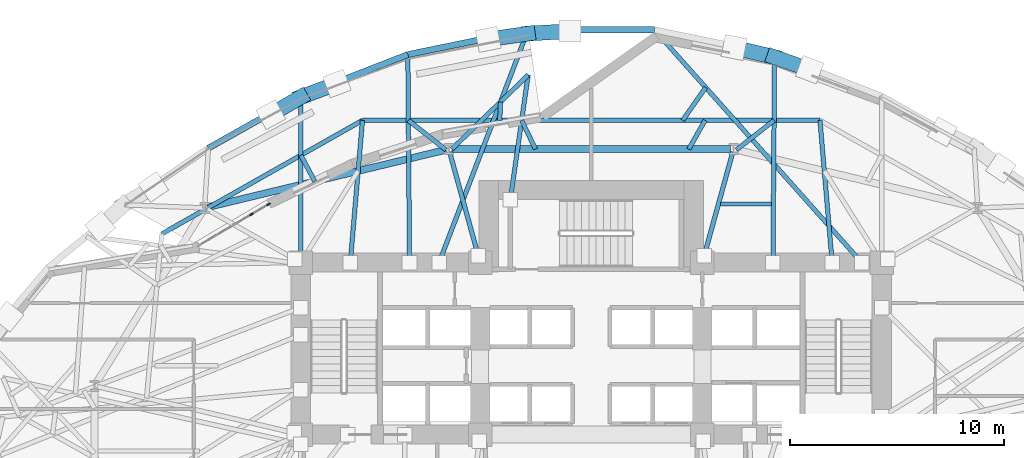
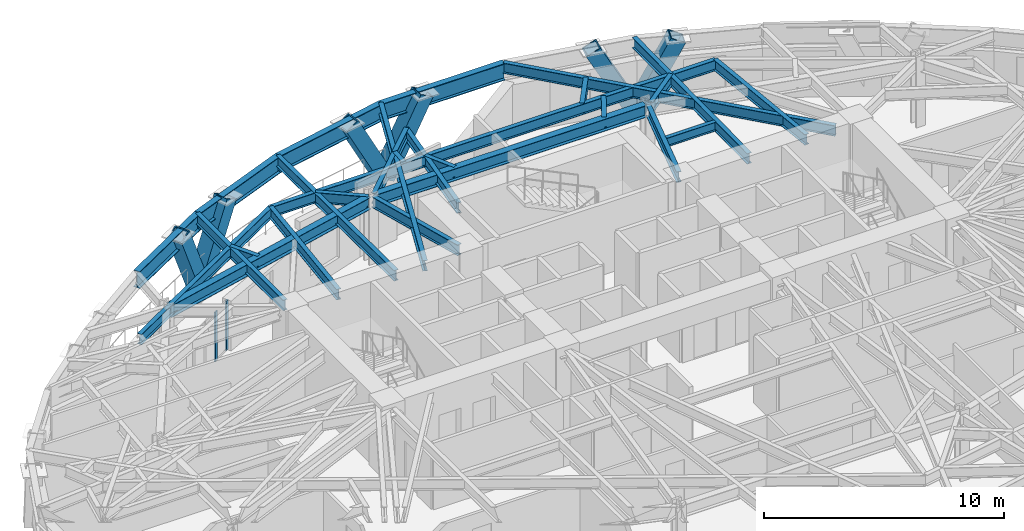
# One storey, part 6 of 17: 27 beams, 8 members, 1 element without a shape of its own.
"""IFC4 building model written with IfcOpenShell, lengths in metres."""

from ifc_helpers import new_model, si_unit, direction, frame, origin, origin_2d, place, context, subcontext, project, spatial, rectangle, hollow_rectangle, i_section, extrude, material, layer, layer_set, material_profile, profile_set, type_object, element, aggregate, save


model = new_model("IFC4")

# Units and contexts
model_context = context("Model", 3, precision=1e-05, world=origin(), true_north=direction((0.0, 1.0)))
body_context = subcontext(model_context, "Body", "Model", "MODEL_VIEW")
ifc_project = project(units=[si_unit("LENGTHUNIT", "METRE"), si_unit("AREAUNIT", "SQUARE_METRE"), si_unit("VOLUMEUNIT", "CUBIC_METRE"), si_unit("PLANEANGLEUNIT", "RADIAN"), si_unit("MASSUNIT", "GRAM", prefix="KILO")], contexts=[model_context])

# Site, building, storey
site_placement = place(None, origin())
site = spatial("IfcSite", under=ifc_project, at=site_placement, CompositionType="ELEMENT")
building_placement = place(site_placement, origin())
building = spatial("IfcBuilding", under=site, at=building_placement, Name="Keldmark Tower", CompositionType="ELEMENT")
storey_placement = place(building_placement, frame((0.0, 0.0, 70.199951171875)))
storey = spatial("IfcBuildingStorey", under=building, at=storey_placement, Name="L18", CompositionType="ELEMENT", Elevation=70.199951171875)

# Beam
ifc_material_1 = material(Name="Steel ASTM A992 Grade 50", Category="steel")
ifc_material_profile_1 = material_profile(ifc_material_1, i_section(OverallWidth=0.19091796875, OverallDepth=0.45703125, WebThickness=0.009033203125, FlangeThickness=0.014404296875, at=origin_2d()), Name="W18X50")
ifc_profile_set_1 = profile_set([ifc_material_profile_1], Name="Steel ASTM A992 Grade 50")
beam_type_1 = type_object("IfcBeamType", Name="Composite Floor Joist W18X50", PredefinedType="JOIST", material=ifc_profile_set_1)
beam_1_placement = place(storey_placement, frame((6.060546875, 12.199951171875, 3.171630859375), z_axis=(1.0, 0.0, 0.0), x_axis=(0.0, 1.0, 0.0)))
element("IfcBeam", 1, at=beam_1_placement, inside=storey, type_object=beam_type_1, Name="L18 Composite Floor Joist J20", PredefinedType="JOIST", context=body_context, shape_type="SweptSolid", body=[
    extrude(i_section(OverallWidth=0.19091796875, OverallDepth=0.45703125, WebThickness=0.009033203125, FlangeThickness=0.014404296875, at=origin_2d()), origin(), (0.0, 0.0, 1.0), 2.3720703125),
])

# Curtain wall, members
ifc_material_2 = material(Name="Unitized Thermally Broken Aluminum and Triple Low-E Glazing", Category="aluminium")
ifc_layer = layer(ifc_material_2, 0.219970703125)
ifc_layer_set = layer_set([ifc_layer], Name="Unitized Thermally Broken Aluminum and Triple Low-E Glazing")
curtain_wall_type = type_object("IfcCurtainWallType", Name="Spiralling Sky-Garden Feature Curtain Wall System", PredefinedType="NOTDEFINED", material=ifc_layer_set)
curtain_wall_placement = place(storey_placement, origin())
curtain_wall = element("IfcCurtainWall", 2, at=curtain_wall_placement, inside=storey, type_object=curtain_wall_type, Name="L18 Spiralling Sky-Garden Feature Curtain Wall System CW-L18-12", PredefinedType="NOTDEFINED")
ifc_material_3 = material(Name="Extruded Aluminum Alloy 6063-T6", Category="aluminium")
ifc_material_profile_2 = material_profile(ifc_material_3, rectangle(XDim=0.06005859375, YDim=0.179931640625, at=origin_2d()), Name="CWM60X180")
ifc_profile_set_2 = profile_set([ifc_material_profile_2], Name="Extruded Aluminum Alloy 6063-T6")
member_type_1 = type_object("IfcMemberType", Name="Curtain Wall Structural Mullion 60x180", PredefinedType="MULLION", material=ifc_profile_set_2)
member_1_placement = place(storey_placement, frame((-15.904296875, 11.703125, 0.0), z_axis=(0.0, 0.0, 1.0), x_axis=(-0.508955086875, 0.860793075916, 0.0)))
member_1 = element("IfcMember", 3, at=member_1_placement, type_object=member_type_1, Name="CW mullion 4", PredefinedType="MULLION", context=body_context, shape_type="SweptSolid", body=[
    extrude(rectangle(XDim=0.06005859375, YDim=0.179931640625, at=origin_2d()), origin(), (0.0, 0.0, 1.0), 2.529052734375),
])
member_2_placement = place(storey_placement, frame((-15.104736328125, 12.17578125, 0.0), z_axis=(0.0, 0.0, 1.0), x_axis=(-0.508955086875, 0.860793075916, 0.0)))
member_2 = element("IfcMember", 4, at=member_2_placement, type_object=member_type_1, Name="CW mullion 5", PredefinedType="MULLION", context=body_context, shape_type="SweptSolid", body=[
    extrude(rectangle(XDim=0.06005859375, YDim=0.179931640625, at=origin_2d()), origin(), (0.0, 0.0, 1.0), 2.529052734375),
])
aggregate(curtain_wall, [member_1, member_2])

# Members
ifc_material_4 = material(Name="Steel ASTM A572 Grade 50", Category="steel")
ifc_material_profile_3 = material_profile(ifc_material_4, hollow_rectangle(XDim=0.699951171875, YDim=0.699951171875, WallThickness=0.054931640625, at=origin_2d()), Name="BOX700X700X55")
ifc_profile_set_3 = profile_set([ifc_material_profile_3], Name="Steel ASTM A572 Grade 50")
member_type_2 = type_object("IfcMemberType", Name="Diagrid Zone 1 Brace BOX700X700X55", PredefinedType="BRACE", material=ifc_profile_set_3)
member_3_placement = place(storey_placement, frame((8.531982421875, 19.082275390625, -0.280029296875), z_axis=(0.424501493486, -0.149665558292, 0.892971837568), x_axis=(0.33250697435, 0.943100796314, 0.0)))
element("IfcMember", 5, at=member_3_placement, inside=storey, type_object=member_type_2, Name="L18 Perimeter Diagrid Brace 03B", PredefinedType="BRACE", context=body_context, shape_type="SweptSolid", body=[
    extrude(hollow_rectangle(XDim=0.699951171875, YDim=0.699951171875, WallThickness=0.054931640625, at=origin_2d()), origin(), (0.0, 0.0, 1.0), 3.98681640625),
])
member_4_placement = place(storey_placement, frame((8.54296875, 19.077880859375, -0.280029296875), z_axis=(-0.458929368937, 0.108548981057, 0.881816847785), x_axis=(-0.230175603332, -0.973149110687, 0.0)))
element("IfcMember", 6, at=member_4_placement, inside=storey, type_object=member_type_2, Name="L18 Perimeter Diagrid Brace 04A", PredefinedType="BRACE", context=body_context, shape_type="SweptSolid", body=[
    extrude(hollow_rectangle(XDim=0.699951171875, YDim=0.699951171875, WallThickness=0.054931640625, at=origin_2d()), origin(), (0.0, 0.0, 1.0), 4.037109375),
])
member_5_placement = place(storey_placement, frame((-2.944580078125, 20.171142578125, -0.280029296875), z_axis=(0.480891950944, 0.028185244313, 0.876326721903), x_axis=(-0.058509937696, 0.998286826113, 0.0)))
element("IfcMember", 7, at=member_5_placement, inside=storey, type_object=member_type_2, Name="L18 Perimeter Diagrid Brace 04B", PredefinedType="BRACE", context=body_context, shape_type="SweptSolid", body=[
    extrude(hollow_rectangle(XDim=0.699951171875, YDim=0.699951171875, WallThickness=0.054931640625, at=origin_2d()), origin(), (0.0, 0.0, 1.0), 4.0625),
])
member_6_placement = place(storey_placement, frame((-2.9326171875, 20.171142578125, -0.280029296875), z_axis=(-0.468392717126, -0.067180794717, 0.880962543678), x_axis=(0.141975446888, -0.98987017961, 0.0)))
element("IfcMember", 8, at=member_6_placement, inside=storey, type_object=member_type_2, Name="L18 Perimeter Diagrid Brace 05A", PredefinedType="BRACE", context=body_context, shape_type="SweptSolid", body=[
    extrude(hollow_rectangle(XDim=0.699951171875, YDim=0.699951171875, WallThickness=0.054931640625, at=origin_2d()), origin(), (0.0, 0.0, 1.0), 4.041015625),
])
member_7_placement = place(storey_placement, frame((-13.5888671875, 17.203369140625, -0.280029296875), z_axis=(0.422417962275, 0.157679853763, 0.892580600767), x_axis=(-0.349709682437, 0.936858120534, 0.0)))
element("IfcMember", 9, at=member_7_placement, inside=storey, type_object=member_type_2, Name="L18 Perimeter Diagrid Brace 05B", PredefinedType="BRACE", context=body_context, shape_type="SweptSolid", body=[
    extrude(hollow_rectangle(XDim=0.699951171875, YDim=0.699951171875, WallThickness=0.054931640625, at=origin_2d()), origin(), (0.0, 0.0, 1.0), 3.988525390625),
])
member_8_placement = place(storey_placement, frame((-13.577880859375, 17.2080078125, -0.280029296875), z_axis=(-0.363891800092, -0.211741485045, 0.907054739989), x_axis=(0.502933716721, -0.864324983201, 0.0)))
element("IfcMember", 10, at=member_8_placement, inside=storey, type_object=member_type_2, Name="L18 Perimeter Diagrid Brace 06A", PredefinedType="BRACE", context=body_context, shape_type="SweptSolid", body=[
    extrude(hollow_rectangle(XDim=0.699951171875, YDim=0.699951171875, WallThickness=0.054931640625, at=origin_2d()), origin(), (0.0, 0.0, 1.0), 3.9248046875),
])

# Beams
ifc_material_5 = material(Name="Steel ASTM A992 Grade 50", Category="steel")
ifc_material_profile_4 = material_profile(ifc_material_5, i_section(OverallWidth=0.323974609375, OverallDepth=0.611083984375, WebThickness=0.0126953125, FlangeThickness=0.01904296875, at=origin_2d()), Name="W24X104")
ifc_profile_set_4 = profile_set([ifc_material_profile_4], Name="Steel ASTM A992 Grade 50")
beam_type_2 = type_object("IfcBeamType", Name="Primary Floor Girder W24X104", PredefinedType="BEAM", material=ifc_profile_set_4)
beam_2_placement = place(storey_placement, frame((6.525146484375, 14.760009765625, 3.094482421875), z_axis=(-1.0, 0.0, 0.0), x_axis=(0.0, -1.0, 0.0)))
element("IfcBeam", 11, at=beam_2_placement, inside=storey, type_object=beam_type_2, Name="L18 Floor Ring Girder FG-R03", PredefinedType="BEAM", context=body_context, shape_type="SweptSolid", body=[
    extrude(i_section(OverallWidth=0.323974609375, OverallDepth=0.611083984375, WebThickness=0.0126953125, FlangeThickness=0.01904296875, at=origin_2d()), origin(), (0.0, 0.0, 1.0), 13.05029296875),
])
beam_3_placement = place(storey_placement, frame((-6.80126953125, 14.727294921875, 3.094482421875), z_axis=(-0.972218707757, -0.2340743136, 0.0), x_axis=(0.2340743136, -0.972218707757, 0.0)))
element("IfcBeam", 12, at=beam_3_placement, inside=storey, type_object=beam_type_2, Name="L18 Floor Ring Girder FG-R04", PredefinedType="BEAM", context=body_context, shape_type="SweptSolid", body=[
    extrude(i_section(OverallWidth=0.323974609375, OverallDepth=0.611083984375, WebThickness=0.0126953125, FlangeThickness=0.01904296875, at=origin_2d()), origin(), (0.0, 0.0, 1.0), 11.479248046875),
])
ifc_material_6 = material(Name="Steel ASTM A992 Grade 50", Category="steel")
ifc_material_profile_5 = material_profile(ifc_material_6, i_section(OverallWidth=0.2099609375, OverallDepth=0.537109375, WebThickness=0.010986328125, FlangeThickness=0.017333984375, at=origin_2d()), Name="W21X68")
ifc_profile_set_5 = profile_set([ifc_material_profile_5], Name="Steel ASTM A992 Grade 50")
beam_type_3 = type_object("IfcBeamType", Name="Radial Tie Girder W21X68", PredefinedType="BEAM", material=ifc_profile_set_5)
for number, where, z_axis, x_axis, name in (
    (13, (11.278564453125, 9.449951171875, 3.131591796875), (-0.085340006916, 0.996351887246, 0.0), (-0.996351887246, -0.085340006916, 0.0), "L18 Sub-Ring Step Girder STP1-M02"),
    (14, (-11.278564453125, 9.449951171875, 3.131591796875), (0.085340006916, 0.996351887246, 0.0), (-0.996351887246, 0.085340006916, 0.0), "L18 Sub-Ring Step Girder STP1-M05"),
):
    element("IfcBeam", number, at=place(storey_placement, frame(where, z_axis=z_axis, x_axis=x_axis)), inside=storey, type_object=beam_type_3, Name=name, PredefinedType="BEAM", context=body_context, shape_type="SweptSolid", body=[
        extrude(i_section(OverallWidth=0.2099609375, OverallDepth=0.537109375, WebThickness=0.010986328125, FlangeThickness=0.017333984375, at=origin_2d()), origin(), (0.0, 0.0, 1.0), 6.682861328125),
    ])
beam_4_placement = place(storey_placement, frame((10.708251953125, 16.1083984375, 3.131591796875), z_axis=(-1.0, 0.0, 0.0), x_axis=(0.0, -1.0, 0.0)))
element("IfcBeam", 15, at=beam_4_placement, inside=storey, type_object=beam_type_3, Name="L18 Perimeter Collector Ring Beam CRG1-M02", PredefinedType="BEAM", context=body_context, shape_type="SweptSolid", body=[
    extrude(i_section(OverallWidth=0.2099609375, OverallDepth=0.537109375, WebThickness=0.010986328125, FlangeThickness=0.017333984375, at=origin_2d()), origin(), (0.0, 0.0, 1.0), 21.41650390625),
])
beam_5_placement = place(storey_placement, frame((-10.708251953125, 16.1083984375, 3.131591796875), z_axis=(-0.870283179633, -0.492551710227, 0.0), x_axis=(0.492551710227, -0.870283179633, 0.0)))
element("IfcBeam", 16, at=beam_5_placement, inside=storey, type_object=beam_type_3, Name="L18 Perimeter Collector Ring Beam CRG1-M05", PredefinedType="BEAM", context=body_context, shape_type="SweptSolid", body=[
    extrude(i_section(OverallWidth=0.2099609375, OverallDepth=0.537109375, WebThickness=0.010986328125, FlangeThickness=0.017333984375, at=origin_2d()), origin(), (0.0, 0.0, 1.0), 10.801513671875),
])
beam_6_placement = place(storey_placement, frame((4.567626953125, 14.760009765625, 3.131591796875), z_axis=(0.491137104855, 0.871082283274, 0.0), x_axis=(-0.871082283274, 0.491137104855, 0.0)))
element("IfcBeam", 17, at=beam_6_placement, inside=storey, type_object=beam_type_3, Name="L18 Framing Pin Header PH-006", PredefinedType="BEAM", context=body_context, shape_type="SweptSolid", body=[
    extrude(i_section(OverallWidth=0.2099609375, OverallDepth=0.537109375, WebThickness=0.010986328125, FlangeThickness=0.017333984375, at=origin_2d()), origin(), (0.0, 0.0, 1.0), 1.5478515625),
])
beam_7_placement = place(storey_placement, frame((6.80126953125, 14.727294921875, 3.131591796875), z_axis=(0.78640926721, 0.61770580736, 0.0), x_axis=(-0.61770580736, 0.78640926721, 0.0)))
element("IfcBeam", 18, at=beam_7_placement, inside=storey, type_object=beam_type_3, Name="L18 Framing Pin Header PH-017", PredefinedType="BEAM", context=body_context, shape_type="SweptSolid", body=[
    extrude(i_section(OverallWidth=0.2099609375, OverallDepth=0.537109375, WebThickness=0.010986328125, FlangeThickness=0.017333984375, at=origin_2d()), origin(), (0.0, 0.0, 1.0), 2.23583984375),
])
beam_8_placement = place(storey_placement, frame((8.507080078125, 9.449951171875, 3.131591796875), z_axis=(0.007872389867, 0.999969012259, 0.0), x_axis=(-0.999969012259, 0.007872389867, 0.0)))
element("IfcBeam", 19, at=beam_8_placement, inside=storey, type_object=beam_type_3, Name="L18 Perimeter Radial Tie Girder RT-07", PredefinedType="BEAM", context=body_context, shape_type="SweptSolid", body=[
    extrude(i_section(OverallWidth=0.2099609375, OverallDepth=0.537109375, WebThickness=0.010986328125, FlangeThickness=0.017333984375, at=origin_2d()), origin(), (0.0, 0.0, 1.0), 9.73779296875),
])
beam_9_placement = place(storey_placement, frame((4.283203125, 16.1083984375, 3.131591796875), z_axis=(0.571943733815, 0.820292853406, 0.0), x_axis=(-0.820292853406, 0.571943733815, 0.0)))
element("IfcBeam", 20, at=beam_9_placement, inside=storey, type_object=beam_type_3, Name="L18 Framing Pin Header PH-018", PredefinedType="BEAM", context=body_context, shape_type="SweptSolid", body=[
    extrude(i_section(OverallWidth=0.2099609375, OverallDepth=0.537109375, WebThickness=0.010986328125, FlangeThickness=0.017333984375, at=origin_2d()), origin(), (0.0, 0.0, 1.0), 1.878662109375),
])
beam_10_placement = place(storey_placement, frame((12.664306640625, 9.449951171875, 3.131591796875), z_axis=(-0.665303032521, 0.746573422322, 0.0), x_axis=(-0.746573422322, -0.665303032521, 0.0)))
element("IfcBeam", 21, at=beam_10_placement, inside=storey, type_object=beam_type_3, Name="L18 Perimeter Radial Tie Girder RT-08", PredefinedType="BEAM", context=body_context, shape_type="SweptSolid", body=[
    extrude(i_section(OverallWidth=0.2099609375, OverallDepth=0.537109375, WebThickness=0.010986328125, FlangeThickness=0.017333984375, at=origin_2d()), origin(), (0.0, 0.0, 1.0), 14.59375),
])
beam_11_placement = place(storey_placement, frame((-2.610107421875, 14.760009765625, 3.131591796875), z_axis=(-0.432460373043, 0.901652940852, 0.0), x_axis=(-0.901652940852, -0.432460373043, 0.0)))
element("IfcBeam", 22, at=beam_11_placement, inside=storey, type_object=beam_type_3, Name="L18 Framing Pin Header PH-019", PredefinedType="BEAM", context=body_context, shape_type="SweptSolid", body=[
    extrude(i_section(OverallWidth=0.2099609375, OverallDepth=0.537109375, WebThickness=0.010986328125, FlangeThickness=0.017333984375, at=origin_2d()), origin(), (0.0, 0.0, 1.0), 1.495361328125),
])
beam_12_placement = place(storey_placement, frame((-3.784912109375, 12.39990234375, 3.131591796875), z_axis=(0.1409916068, 0.99001079126, 0.0), x_axis=(-0.99001079126, 0.1409916068, 0.0)))
element("IfcBeam", 23, at=beam_12_placement, inside=storey, type_object=beam_type_3, Name="L18 Intermediate Radial Step Girder RT-09M", PredefinedType="BEAM", context=body_context, shape_type="SweptSolid", body=[
    extrude(i_section(OverallWidth=0.2099609375, OverallDepth=0.537109375, WebThickness=0.010986328125, FlangeThickness=0.017333984375, at=origin_2d()), origin(), (0.0, 0.0, 1.0), 5.8857421875),
])
beam_13_placement = place(storey_placement, frame((-6.525146484375, 14.760009765625, 3.131591796875), z_axis=(0.717406871721, 0.696654419643, 0.0), x_axis=(-0.696654419643, 0.717406871721, 0.0)))
element("IfcBeam", 24, at=beam_13_placement, inside=storey, type_object=beam_type_3, Name="L18 Local Collector Chord RT-09C", PredefinedType="BEAM", context=body_context, shape_type="SweptSolid", body=[
    extrude(i_section(OverallWidth=0.2099609375, OverallDepth=0.537109375, WebThickness=0.010986328125, FlangeThickness=0.017333984375, at=origin_2d()), origin(), (0.0, 0.0, 1.0), 4.976318359375),
])
beam_14_placement = place(storey_placement, frame((-4.283203125, 16.1083984375, 3.131591796875), z_axis=(0.045292811714, 0.998973754013, 0.0), x_axis=(-0.998973754013, 0.045292811714, 0.0)))
element("IfcBeam", 25, at=beam_14_placement, inside=storey, type_object=beam_type_3, Name="L18 Framing Pin Header PH-020", PredefinedType="BEAM", context=body_context, shape_type="SweptSolid", body=[
    extrude(i_section(OverallWidth=0.2099609375, OverallDepth=0.537109375, WebThickness=0.010986328125, FlangeThickness=0.017333984375, at=origin_2d()), origin(), (0.0, 0.0, 1.0), 0.867919921875),
])
beam_15_placement = place(storey_placement, frame((-7.121337890625, 9.449951171875, 3.131591796875), z_axis=(0.357169153176, 0.934039718652, 0.0), x_axis=(-0.934039718652, 0.357169153176, 0.0)))
element("IfcBeam", 26, at=beam_15_placement, inside=storey, type_object=beam_type_3, Name="L18 Perimeter Radial Tie Girder RT-09", PredefinedType="BEAM", context=body_context, shape_type="SweptSolid", body=[
    extrude(i_section(OverallWidth=0.2099609375, OverallDepth=0.537109375, WebThickness=0.010986328125, FlangeThickness=0.017333984375, at=origin_2d()), origin(), (0.0, 0.0, 1.0), 11.66455078125),
])
beam_16_placement = place(storey_placement, frame((-6.80126953125, 14.727294921875, 3.131591796875), z_axis=(-0.78640926721, 0.61770580736, 0.0), x_axis=(-0.61770580736, -0.78640926721, 0.0)))
element("IfcBeam", 27, at=beam_16_placement, inside=storey, type_object=beam_type_3, Name="L18 Framing Pin Header PH-021", PredefinedType="BEAM", context=body_context, shape_type="SweptSolid", body=[
    extrude(i_section(OverallWidth=0.2099609375, OverallDepth=0.537109375, WebThickness=0.010986328125, FlangeThickness=0.017333984375, at=origin_2d()), origin(), (0.0, 0.0, 1.0), 2.23583984375),
])
beam_17_placement = place(storey_placement, frame((-8.507080078125, 9.449951171875, 3.131591796875), z_axis=(-0.007872389867, 0.999969012259, 0.0), x_axis=(-0.999969012259, -0.007872389867, 0.0)))
element("IfcBeam", 28, at=beam_17_placement, inside=storey, type_object=beam_type_3, Name="L18 Perimeter Radial Tie Girder RT-10", PredefinedType="BEAM", context=body_context, shape_type="SweptSolid", body=[
    extrude(i_section(OverallWidth=0.2099609375, OverallDepth=0.537109375, WebThickness=0.010986328125, FlangeThickness=0.017333984375, at=origin_2d()), origin(), (0.0, 0.0, 1.0), 9.73779296875),
])
beam_18_placement = place(storey_placement, frame((-12.939453125, 13.249267578125, 3.131591796875), z_axis=(-0.471016758715, 0.88212426166, 0.0), x_axis=(-0.88212426166, -0.471016758715, 0.0)))
element("IfcBeam", 29, at=beam_18_placement, inside=storey, type_object=beam_type_3, Name="L18 Framing Pin Header PH-022", PredefinedType="BEAM", context=body_context, shape_type="SweptSolid", body=[
    extrude(i_section(OverallWidth=0.2099609375, OverallDepth=0.537109375, WebThickness=0.010986328125, FlangeThickness=0.017333984375, at=origin_2d()), origin(), (0.0, 0.0, 1.0), 1.3896484375),
])
beam_19_placement = place(storey_placement, frame((-13.60009765625, 9.89990234375, 3.131591796875), z_axis=(0.001330272527, 0.999999115187, 0.0), x_axis=(-0.999999115187, 0.001330272527, 0.0)))
element("IfcBeam", 30, at=beam_19_placement, inside=storey, type_object=beam_type_3, Name="L18 Perimeter Radial Tie Girder RT-11", PredefinedType="BEAM", context=body_context, shape_type="SweptSolid", body=[
    extrude(i_section(OverallWidth=0.2099609375, OverallDepth=0.537109375, WebThickness=0.010986328125, FlangeThickness=0.017333984375, at=origin_2d()), origin(), (0.0, 0.0, 1.0), 7.341064453125),
])
ifc_material_7 = material(Name="Steel ASTM A992 Grade 50", Category="steel")
ifc_material_profile_6 = material_profile(ifc_material_7, i_section(OverallWidth=0.214111328125, OverallDepth=0.549072265625, WebThickness=0.0146484375, FlangeThickness=0.023681640625, at=origin_2d()), Name="W21X93")
ifc_profile_set_6 = profile_set([ifc_material_profile_6], Name="Steel ASTM A992 Grade 50")
beam_type_4 = type_object("IfcBeamType", Name="Radial Tie Girder W21X93", PredefinedType="BEAM", material=ifc_profile_set_6)
for number, where, z_axis, x_axis, name in (
    (31, (6.6279296875, 14.625, 3.12548828125), (-0.265984786353, -0.963977226613, 0.0), (0.963977226613, -0.265984786353, 0.0), "L18 Floor Radial Girder FG-C03"),
    (32, (-6.6279296875, 14.625, 3.12548828125), (0.265984786353, -0.963977226613, 0.0), (0.963977226613, 0.265984786353, 0.0), "L18 Floor Radial Girder FG-C04"),
):
    element("IfcBeam", number, at=place(storey_placement, frame(where, z_axis=z_axis, x_axis=x_axis)), inside=storey, type_object=beam_type_4, Name=name, PredefinedType="BEAM", context=body_context, shape_type="SweptSolid", body=[
        extrude(i_section(OverallWidth=0.214111328125, OverallDepth=0.549072265625, WebThickness=0.0146484375, FlangeThickness=0.023681640625, at=origin_2d()), origin(), (0.0, 0.0, 1.0), 5.04833984375),
    ])
ifc_material_8 = material(Name="Steel ASTM A992 Grade 50", Category="steel")
ifc_material_profile_7 = material_profile(ifc_material_8, i_section(OverallWidth=0.2919921875, OverallDepth=0.85888671875, WebThickness=0.01708984375, FlangeThickness=0.031005859375, at=origin_2d()), Name="W33X169")
ifc_profile_set_7 = profile_set([ifc_material_profile_7], Name="Steel ASTM A992 Grade 50")
beam_type_5 = type_object("IfcBeamType", Name="Spandrel Ring Beam W33X169", PredefinedType="SPANDREL", material=ifc_profile_set_7)
beam_20_placement = place(storey_placement, frame((2.955078125, 20.34521484375, 2.970458984375), z_axis=(-1.0, 0.0, 0.0), x_axis=(0.0, -1.0, 0.0)))
element("IfcBeam", 33, at=beam_20_placement, inside=storey, type_object=beam_type_5, Name="L18 Perimeter Spandrel Ring Beam SRB-08", PredefinedType="SPANDREL", context=body_context, shape_type="SweptSolid", body=[
    extrude(i_section(OverallWidth=0.2919921875, OverallDepth=0.85888671875, WebThickness=0.01708984375, FlangeThickness=0.031005859375, at=origin_2d()), origin(), (0.0, 0.0, 1.0), 5.91015625),
])
beam_21_placement = place(storey_placement, frame((-2.955078125, 20.34521484375, 2.970458984375), z_axis=(-0.979495773067, -0.201464712899, 0.0), x_axis=(0.201464712899, -0.979495773067, 0.0)))
element("IfcBeam", 34, at=beam_21_placement, inside=storey, type_object=beam_type_5, Name="L18 Perimeter Spandrel Ring Beam SRB-09", PredefinedType="SPANDREL", context=body_context, shape_type="SweptSolid", body=[
    extrude(i_section(OverallWidth=0.2919921875, OverallDepth=0.85888671875, WebThickness=0.01708984375, FlangeThickness=0.031005859375, at=origin_2d()), origin(), (0.0, 0.0, 1.0), 5.74658203125),
])
beam_22_placement = place(storey_placement, frame((-8.583740234375, 19.1875, 2.970458984375), z_axis=(-0.932034521321, -0.362369495221, 0.0), x_axis=(0.362369495221, -0.932034521321, 0.0)))
element("IfcBeam", 35, at=beam_22_placement, inside=storey, type_object=beam_type_5, Name="L18 Perimeter Spandrel Ring Beam SRB-10", PredefinedType="SPANDREL", context=body_context, shape_type="SweptSolid", body=[
    extrude(i_section(OverallWidth=0.2919921875, OverallDepth=0.85888671875, WebThickness=0.01708984375, FlangeThickness=0.031005859375, at=origin_2d()), origin(), (0.0, 0.0, 1.0), 5.37158203125),
])
beam_23_placement = place(storey_placement, frame((-13.59033203125, 17.240966796875, 2.970458984375), z_axis=(-0.871899498788, -0.489684861941, 0.0), x_axis=(0.489684861941, -0.871899498788, 0.0)))
element("IfcBeam", 36, at=beam_23_placement, inside=storey, type_object=beam_type_5, Name="L18 Perimeter Spandrel Ring Beam SRB-11", PredefinedType="SPANDREL", context=body_context, shape_type="SweptSolid", body=[
    extrude(i_section(OverallWidth=0.2919921875, OverallDepth=0.85888671875, WebThickness=0.01708984375, FlangeThickness=0.031005859375, at=origin_2d()), origin(), (0.0, 0.0, 1.0), 4.96826171875),
])

save(model, "model.ifc")
